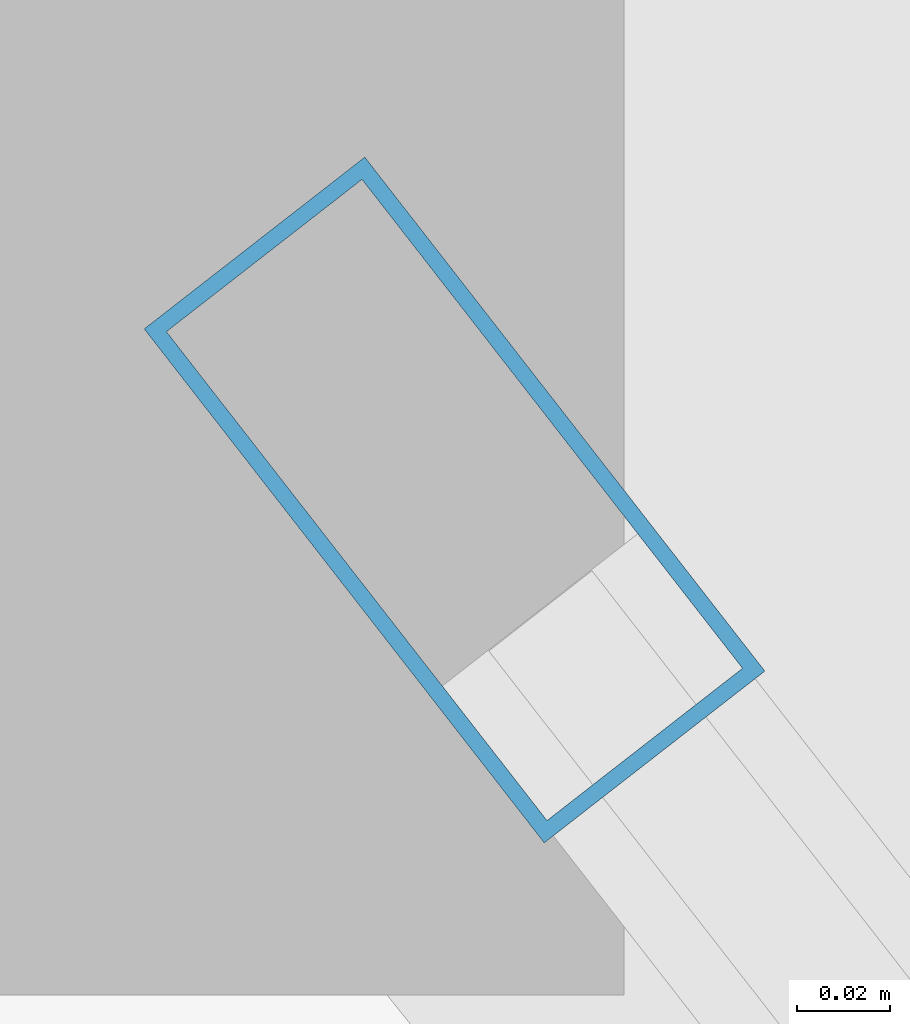
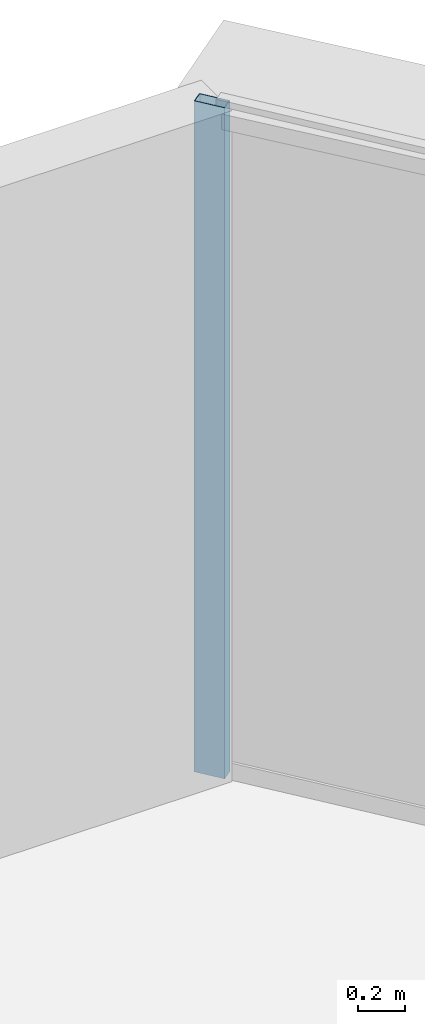
# One storey, part 28 of 40: 1 member, 1 element without a shape of its own.
"""IFC4 building model written with IfcOpenShell, lengths in metres."""

from ifc_helpers import new_model, si_unit, direction, frame, origin, origin_2d, place, context, subcontext, project, spatial, hollow_rectangle, extrude, source, transform, mapped, material, layer, layer_set, material_profile, profile_set, type_object, element, aggregate, save


model = new_model("IFC4")

# Units and contexts
model_context = context("Model", 3, precision=1e-05, world=origin(), true_north=direction((0.0, 1.0)))
body_context = subcontext(model_context, "Body", "Model", "MODEL_VIEW")
ifc_project = project(units=[si_unit("LENGTHUNIT", "METRE"), si_unit("AREAUNIT", "SQUARE_METRE"), si_unit("VOLUMEUNIT", "CUBIC_METRE"), si_unit("PLANEANGLEUNIT", "RADIAN"), si_unit("MASSUNIT", "GRAM", prefix="KILO"), si_unit("THERMODYNAMICTEMPERATUREUNIT", "KELVIN"), si_unit("POWERUNIT", "WATT")], contexts=[model_context])

# Site, building, storey
site_placement = place(None, origin())
site = spatial("IfcSite", under=ifc_project, at=site_placement, CompositionType="ELEMENT")
building_placement = place(site_placement, origin())
building = spatial("IfcBuilding", under=site, at=building_placement, Name="Yunzhuo Pagoda Commons", CompositionType="ELEMENT")
storey_placement = place(building_placement, frame((0.0, 0.0, 288.75)))
storey = spatial("IfcBuildingStorey", under=building, at=storey_placement, Name="L72", CompositionType="ELEMENT", Elevation=288.75)

# Curtain wall, member
ifc_material = material(Name="Anodized aluminium 6063-T6", Category="aluminium")
ifc_layer = layer(ifc_material, 0.139892578125)
ifc_layer_set = layer_set([ifc_layer], Name="Anodized aluminium 6063-T6")
curtain_wall_type = type_object("IfcCurtainWallType", Name="CW-HI High-Zone Ribbon Curtain Wall", PredefinedType="NOTDEFINED", material=ifc_layer_set)
curtain_wall_placement = place(storey_placement, origin())
curtain_wall = element("IfcCurtainWall", 1, at=curtain_wall_placement, inside=storey, type_object=curtain_wall_type, Name="L72 curtain wall CW-L72-F2B5", PredefinedType="NOTDEFINED")
ifc_material_profile = material_profile(ifc_material, hollow_rectangle(XDim=0.06005859375, YDim=0.139892578125, WallThickness=0.00341796875, at=origin_2d()), Name="Anodized aluminium 6063-T6")
ifc_profile_set = profile_set([ifc_material_profile], Name="Anodized aluminium 6063-T6")
member_type = type_object("IfcMemberType", Name="CW-HI-M Mullion RHS 140x60x3.5", PredefinedType="MULLION", material=ifc_profile_set)
shared_shape = source(origin(), body_context, "Body", "SweptSolid", [
    extrude(hollow_rectangle(XDim=0.06005859375, YDim=0.139892578125, WallThickness=0.00341796875, at=origin_2d()), origin(), (0.0, 0.0, 1.0), 3.469970703125),
])
member_placement = place(storey_placement, frame((51.49853515625, 75.7666015625, 0.0), z_axis=(0.0, 0.0, 1.0), x_axis=(-0.789102923127, -0.614261000482, 0.0)))
member = element("IfcMember", 2, at=member_placement, type_object=member_type, Name="CW mullion 2", PredefinedType="MULLION", context=body_context, shape_type="MappedRepresentation", body=[
    mapped(shared_shape, transform((0.0, 0.0, 0.0), scale=1.0)),
])
aggregate(curtain_wall, [member])

save(model, "model.ifc")
